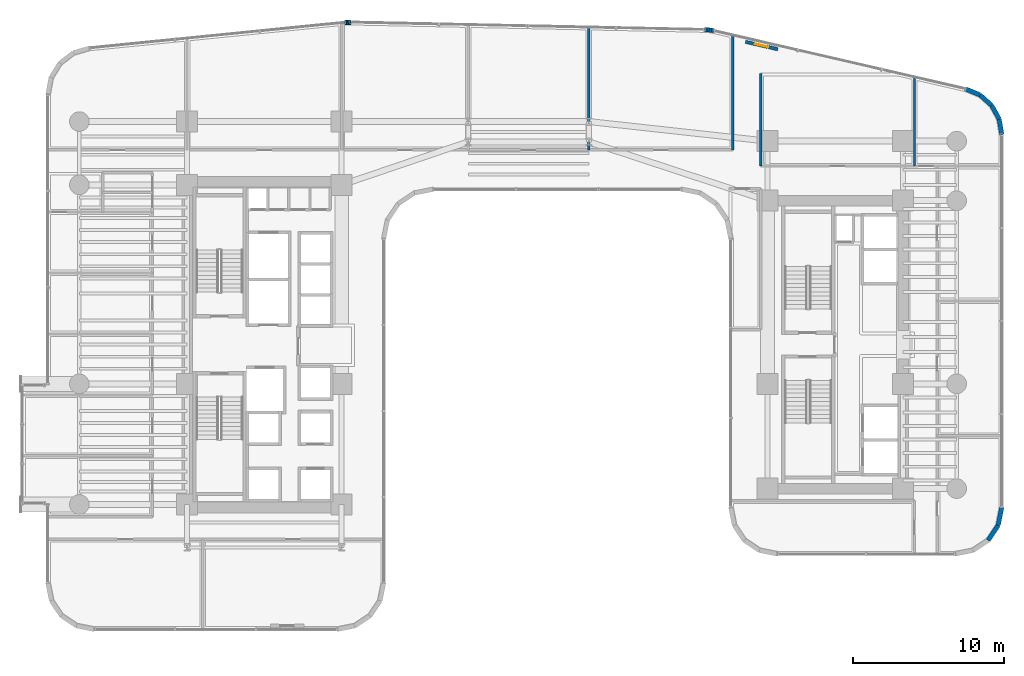
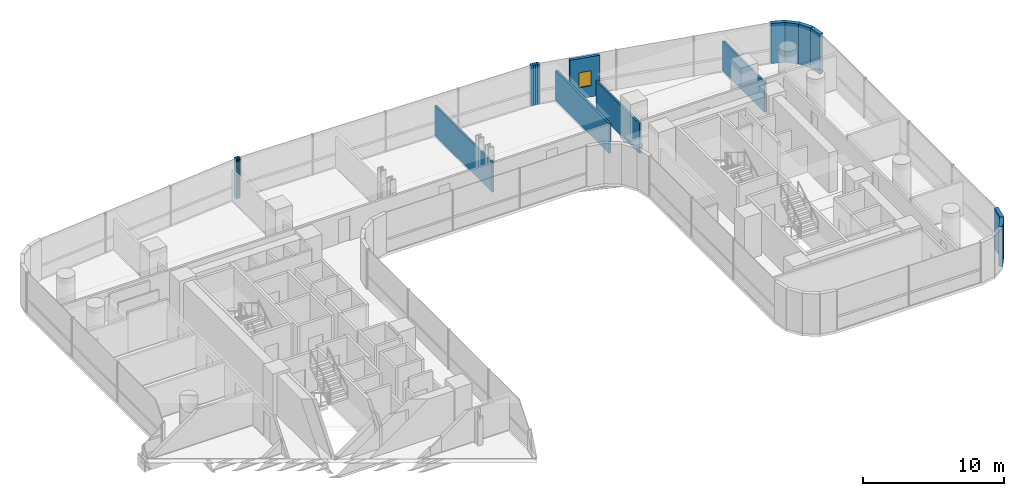
# One storey, part 34 of 39: 19 walls, 1 window, 1 opening.
"""IFC4 building model written with IfcOpenShell, lengths in metres."""

from ifc_helpers import new_model, si_unit, direction, frame, frame_2d, origin, place, context, subcontext, project, spatial, rectangle, extrude, material, layer, layer_set, type_object, element, fill, save


model = new_model("IFC4")

# Units and contexts
model_context = context("Model", 3, precision=1e-05, world=origin(), true_north=direction((0.0, 1.0)))
body_context = subcontext(model_context, "Body", "Model", "MODEL_VIEW")
ifc_project = project(units=[si_unit("LENGTHUNIT", "METRE"), si_unit("AREAUNIT", "SQUARE_METRE"), si_unit("VOLUMEUNIT", "CUBIC_METRE"), si_unit("PLANEANGLEUNIT", "RADIAN"), si_unit("MASSUNIT", "GRAM", prefix="KILO")], contexts=[model_context])

# Site, building, storey
site_placement = place(None, origin())
site = spatial("IfcSite", under=ifc_project, at=site_placement, CompositionType="ELEMENT")
building_placement = place(site_placement, origin())
building = spatial("IfcBuilding", under=site, at=building_placement, Name="Valdorenza Pilgrim Sanctuary Tower", CompositionType="ELEMENT")
storey_placement = place(building_placement, frame((0.0, 0.0, 33.39990234375)))
storey = spatial("IfcBuildingStorey", under=building, at=storey_placement, Name="L07", CompositionType="ELEMENT", Elevation=33.39990234375)

# Walls
ifc_material_1 = material(Name="Acoustic twin-stud gypsum partition", Category="gypsum")
ifc_layer_1 = layer(ifc_material_1, 0.159912109375, Name="Acoustic twin-stud gypsum partition")
ifc_layer_set_1 = layer_set([ifc_layer_1], Name="Acoustic twin-stud gypsum partition")
wall_type_1 = type_object("IfcWallType", Name="WAL-COR-160", PredefinedType="PARTITIONING", material=ifc_layer_set_1)
wall_1_placement = place(storey_placement, frame((13.550048828125, 12.919921875, 0.0), z_axis=(0.0, 0.0, 1.0), x_axis=(0.0, 1.0, 0.0)))
element("IfcWall", 1, at=wall_1_placement, inside=storey, type_object=wall_type_1, Name="L07 North Band East Closure", PredefinedType="PARTITIONING", context=body_context, shape_type="SweptSolid", body=[
    extrude(rectangle(XDim=7.609375, YDim=0.159912109375, at=frame_2d((3.8046875, 0.0))), origin(), (0.0, 0.0, 1.0), 2.5830078125),
])
wall_2_placement = place(storey_placement, frame((15.39990234375, 11.85009765625, 0.0), z_axis=(0.0, 0.0, 1.0), x_axis=(0.0, 1.0, 0.0)))
element("IfcWall", 2, at=wall_2_placement, inside=storey, type_object=wall_type_1, Name="L07 Wing B North West Wall", PredefinedType="PARTITIONING", context=body_context, shape_type="SweptSolid", body=[
    extrude(rectangle(XDim=6.14990234375, YDim=0.159912109375, at=frame_2d((3.074951171875, 0.0))), origin(), (0.0, 0.0, 1.0), 2.5830078125),
])
wall_3_placement = place(storey_placement, frame((25.60009765625, 11.85009765625, 0.0), z_axis=(0.0, 0.0, 1.0), x_axis=(0.0, 1.0, 0.0)))
element("IfcWall", 3, at=wall_3_placement, inside=storey, type_object=wall_type_1, Name="L07 Wing B North East Wall", PredefinedType="PARTITIONING", context=body_context, shape_type="SweptSolid", body=[
    extrude(rectangle(XDim=5.8984375, YDim=0.159912109375, at=frame_2d((2.94921875, 0.0))), origin(), (0.0, 0.0, 1.0), 2.5830078125),
])
ifc_material_2 = material(Name="Honed travertine limestone", Category="masonry")
ifc_layer_2 = layer(ifc_material_2, 0.300048828125, Name="Honed travertine limestone")
ifc_layer_set_2 = layer_set([ifc_layer_2], Name="Honed travertine limestone")
wall_type_2 = type_object("IfcWallType", Name="WAL-EXT-300", PredefinedType="SOLIDWALL", material=ifc_layer_set_2)
wall_4_placement = place(storey_placement, frame((-12.181884765625, 21.371337890625, 0.0), z_axis=(0.0, 0.0, 1.0), x_axis=(0.996527790842, 0.08326080759, 0.0)))
element("IfcWall", 4, at=wall_4_placement, inside=storey, type_object=wall_type_2, Name="L07 Rounded Wind-Corner Stone Pier 7", PredefinedType="SOLIDWALL", context=body_context, shape_type="SweptSolid", body=[
    extrude(rectangle(XDim=0.09375, YDim=0.300048828125, at=frame_2d((0.046875, 0.0))), origin(), (0.0, 0.0, 1.0), 3.460205078125),
])
wall_5_placement = place(storey_placement, frame((-12.08837890625, 21.379150390625, 0.0), z_axis=(0.0, 0.0, 1.0), x_axis=(0.998476480444, 0.055178963393, 0.0)))
element("IfcWall", 5, at=wall_5_placement, inside=storey, type_object=wall_type_2, Name="L07 Rounded Wind-Corner Stone Pier 8", PredefinedType="SOLIDWALL", context=body_context, shape_type="SweptSolid", body=[
    extrude(rectangle(XDim=0.093017578125, YDim=0.300048828125, at=frame_2d((0.04638671875, 0.0))), origin(), (0.0, 0.0, 1.0), 3.460205078125),
])
wall_6_placement = place(storey_placement, frame((-11.99560546875, 21.38427734375, 0.0), z_axis=(0.0, 0.0, 1.0), x_axis=(0.999722573757, 0.023553673204, 0.0)))
element("IfcWall", 6, at=wall_6_placement, inside=storey, type_object=wall_type_2, Name="L07 Rounded Wind-Corner Stone Pier 9", PredefinedType="SOLIDWALL", context=body_context, shape_type="SweptSolid", body=[
    extrude(rectangle(XDim=0.09326171875, YDim=0.300048828125, at=frame_2d((0.046630859375, 0.0))), origin(), (0.0, 0.0, 1.0), 3.460205078125),
])
wall_7_placement = place(storey_placement, frame((-11.90234375, 21.386474609375, 0.0), z_axis=(0.0, 0.0, 1.0), x_axis=(0.999986507273, -0.005194735103, 0.0)))
element("IfcWall", 7, at=wall_7_placement, inside=storey, type_object=wall_type_2, Name="L07 Rounded Wind-Corner Stone Pier 10", PredefinedType="SOLIDWALL", context=body_context, shape_type="SweptSolid", body=[
    extrude(rectangle(XDim=0.093994140625, YDim=0.300048828125, at=frame_2d((0.046875, 0.0))), origin(), (0.0, 0.0, 1.0), 3.460205078125),
])
wall_8_placement = place(storey_placement, frame((11.665771484375, 20.89697265625, 0.0), z_axis=(0.0, 0.0, 1.0), x_axis=(0.998885297239, -0.047203421059, 0.0)))
element("IfcWall", 8, at=wall_8_placement, inside=storey, type_object=wall_type_2, Name="L07 Rounded Wind-Corner Stone Pier 12", PredefinedType="SOLIDWALL", context=body_context, shape_type="SweptSolid", body=[
    extrude(rectangle(XDim=0.160400390625, YDim=0.300048828125, at=frame_2d((0.080078125, 0.0))), origin(), (0.0, 0.0, 1.0), 3.460205078125),
])
wall_9_placement = place(storey_placement, frame((11.825927734375, 20.889404296875, 0.0), z_axis=(0.0, 0.0, 1.0), x_axis=(0.995172891136, -0.098137234257, 0.0)))
element("IfcWall", 9, at=wall_9_placement, inside=storey, type_object=wall_type_2, Name="L07 Rounded Wind-Corner Stone Pier 13", PredefinedType="SOLIDWALL", context=body_context, shape_type="SweptSolid", body=[
    extrude(rectangle(XDim=0.1591796875, YDim=0.300048828125, at=frame_2d((0.07958984375, 0.0))), origin(), (0.0, 0.0, 1.0), 3.460205078125),
])
wall_10_placement = place(storey_placement, frame((11.984375, 20.873779296875, 0.0), z_axis=(0.0, 0.0, 1.0), x_axis=(0.988846069207, -0.148941100486, 0.0)))
element("IfcWall", 10, at=wall_10_placement, inside=storey, type_object=wall_type_2, Name="L07 Rounded Wind-Corner Stone Pier 14", PredefinedType="SOLIDWALL", context=body_context, shape_type="SweptSolid", body=[
    extrude(rectangle(XDim=0.158935546875, YDim=0.300048828125, at=frame_2d((0.07958984375, 0.0))), origin(), (0.0, 0.0, 1.0), 3.460205078125),
])
wall_11_placement = place(storey_placement, frame((12.1416015625, 20.85009765625, 0.0), z_axis=(0.0, 0.0, 1.0), x_axis=(0.979991950448, -0.19903712482, 0.0)))
element("IfcWall", 11, at=wall_11_placement, inside=storey, type_object=wall_type_2, Name="L07 Rounded Wind-Corner Stone Pier 15", PredefinedType="SOLIDWALL", context=body_context, shape_type="SweptSolid", body=[
    extrude(rectangle(XDim=0.16064453125, YDim=0.300048828125, at=frame_2d((0.080322265625, 0.0))), origin(), (0.0, 0.0, 1.0), 3.460205078125),
])

# Wall, opening, window
wall_12_placement = place(storey_placement, frame((14.388671875, 20.089599609375, 0.0), z_axis=(0.0, 0.0, 1.0), x_axis=(0.974400545997, -0.224818984875, 0.0)))
wall_12 = element("IfcWall", 12, at=wall_12_placement, inside=storey, type_object=wall_type_2, Name="L07 Operable Ventilation Sash Jamb Pier", PredefinedType="SOLIDWALL", context=body_context, shape_type="SweptSolid", body=[
    extrude(rectangle(XDim=2.2001953125, YDim=0.219970703125, at=frame_2d((1.10009765625, 0.0))), origin(), (0.0, 0.0, 1.0), 3.460205078125),
])
opening_placement = place(wall_12_placement, frame((0.64990234375, 0.0, 0.949951171875)))
opening = element("IfcOpeningElement", 13, at=opening_placement, cuts=wall_12, Name="Opening WN-OP1", PredefinedType="OPENING", context=body_context, shape_type="SweptSolid", body=[
    extrude(rectangle(XDim=0.89990234375, YDim=1.300048828125, at=frame_2d((0.449951171875, 0.64990234375))), frame((0.0, 0.125, 0.0), z_axis=(0.0, -1.0, 0.0), x_axis=(1.0, 0.0, 0.0)), (0.0, 0.0, 1.0), 0.249755859375),
])
ifc_material_3 = material(Name="Ceramic-fritted low-E IGU glazing", Category="glass")
window_type = type_object("IfcWindowType", Name="WIN-OPN-900", PartitioningType="SINGLE_PANEL", PredefinedType="WINDOW", material=ifc_material_3)
window_placement = place(opening_placement, origin())
window = element("IfcWindow", 14, at=window_placement, inside=storey, type_object=window_type, Name="L07 Parallel-Pop-Out Operable Facade Panel", OverallHeight=1.300048828125, OverallWidth=0.89990234375, PartitioningType="SINGLE_PANEL", PredefinedType="WINDOW", context=body_context, shape_type="SweptSolid", body=[
    extrude(rectangle(XDim=0.89990234375, YDim=1.300048828125, at=frame_2d((0.449951171875, 0.64990234375))), frame((0.0, 0.030029296875, 0.0), z_axis=(0.0, -1.0, 0.0), x_axis=(1.0, 0.0, 0.0)), (0.0, 0.0, 1.0), 0.06005859375),
])
fill(opening, window)

# Walls
wall_13_placement = place(storey_placement, frame((28.98583984375, 16.96728515625, 0.0), z_axis=(0.0, 0.0, 1.0), x_axis=(0.923083852684, -0.384598753136, 0.0)))
element("IfcWall", 15, at=wall_13_placement, inside=storey, type_object=wall_type_2, Name="L07 Rounded Wind-Corner Stone Pier 17", PredefinedType="SOLIDWALL", context=body_context, shape_type="SweptSolid", body=[
    extrude(rectangle(XDim=1.042236328125, YDim=0.300048828125, at=frame_2d((0.52099609375, 0.0))), origin(), (0.0, 0.0, 1.0), 3.460205078125),
])
wall_14_placement = place(storey_placement, frame((29.947998046875, 16.56640625, 0.0), z_axis=(0.0, 0.0, 1.0), x_axis=(0.744585645533, -0.66752694063, 0.0)))
element("IfcWall", 16, at=wall_14_placement, inside=storey, type_object=wall_type_2, Name="L07 Rounded Wind-Corner Stone Pier 18", PredefinedType="SOLIDWALL", context=body_context, shape_type="SweptSolid", body=[
    extrude(rectangle(XDim=1.032958984375, YDim=0.300048828125, at=frame_2d((0.5166015625, 0.0))), origin(), (0.0, 0.0, 1.0), 3.460205078125),
])
wall_15_placement = place(storey_placement, frame((30.717041015625, 15.876953125, 0.0), z_axis=(0.0, 0.0, 1.0), x_axis=(0.482971098131, -0.875636293429, 0.0)))
element("IfcWall", 17, at=wall_15_placement, inside=storey, type_object=wall_type_2, Name="L07 Rounded Wind-Corner Stone Pier 19", PredefinedType="SOLIDWALL", context=body_context, shape_type="SweptSolid", body=[
    extrude(rectangle(XDim=1.03271484375, YDim=0.300048828125, at=frame_2d((0.516357421875, 0.0))), origin(), (0.0, 0.0, 1.0), 3.460205078125),
])
wall_16_placement = place(storey_placement, frame((31.2158203125, 14.97265625, 0.0), z_axis=(0.0, 0.0, 1.0), x_axis=(0.167019462117, -0.985953598946, 0.0)))
element("IfcWall", 18, at=wall_16_placement, inside=storey, type_object=wall_type_2, Name="L07 Rounded Wind-Corner Stone Pier 20", PredefinedType="SOLIDWALL", context=body_context, shape_type="SweptSolid", body=[
    extrude(rectangle(XDim=1.042236328125, YDim=0.300048828125, at=frame_2d((0.52099609375, 0.0))), origin(), (0.0, 0.0, 1.0), 3.460205078125),
])
wall_17_placement = place(storey_placement, frame((31.389892578125, -10.789306640625, 0.0), z_axis=(0.0, 0.0, 1.0), x_axis=(-0.194996050505, -0.980804027463, 0.0)))
element("IfcWall", 19, at=wall_17_placement, inside=storey, type_object=wall_type_2, Name="L07 Rounded Wind-Corner Stone Pier 22", PredefinedType="SOLIDWALL", context=body_context, shape_type="SweptSolid", body=[
    extrude(rectangle(XDim=1.2158203125, YDim=0.300048828125, at=frame_2d((0.60791015625, 0.0))), origin(), (0.0, 0.0, 1.0), 3.460205078125),
])
wall_18_placement = place(storey_placement, frame((31.15283203125, -11.981689453125, 0.0), z_axis=(0.0, 0.0, 1.0), x_axis=(-0.555635100982, -0.831426265255, 0.0)))
element("IfcWall", 20, at=wall_18_placement, inside=storey, type_object=wall_type_2, Name="L07 Rounded Wind-Corner Stone Pier 23", PredefinedType="SOLIDWALL", context=body_context, shape_type="SweptSolid", body=[
    extrude(rectangle(XDim=1.204833984375, YDim=0.300048828125, at=frame_2d((0.6025390625, 0.0))), origin(), (0.0, 0.0, 1.0), 3.460205078125),
])
ifc_layer_3 = layer(ifc_material_1, 0.14990234375, Name="Acoustic twin-stud gypsum partition")
ifc_layer_set_3 = layer_set([ifc_layer_3], Name="Acoustic twin-stud gypsum partition")
wall_type_3 = type_object("IfcWallType", Name="WAL-UNT-150", PredefinedType="PARTITIONING", material=ifc_layer_set_3)
wall_19_placement = place(storey_placement, frame((4.0, 12.919921875, 0.0), z_axis=(0.0, 0.0, 1.0), x_axis=(0.0, 1.0, 0.0)))
element("IfcWall", 21, at=wall_19_placement, inside=storey, type_object=wall_type_3, Name="L07 North Grid Office Wall 4", PredefinedType="PARTITIONING", context=body_context, shape_type="SweptSolid", body=[
    extrude(rectangle(XDim=8.13671875, YDim=0.14990234375, at=frame_2d((4.068359375, 0.0))), origin(), (0.0, 0.0, 1.0), 2.5830078125),
])

save(model, "model.ifc")
